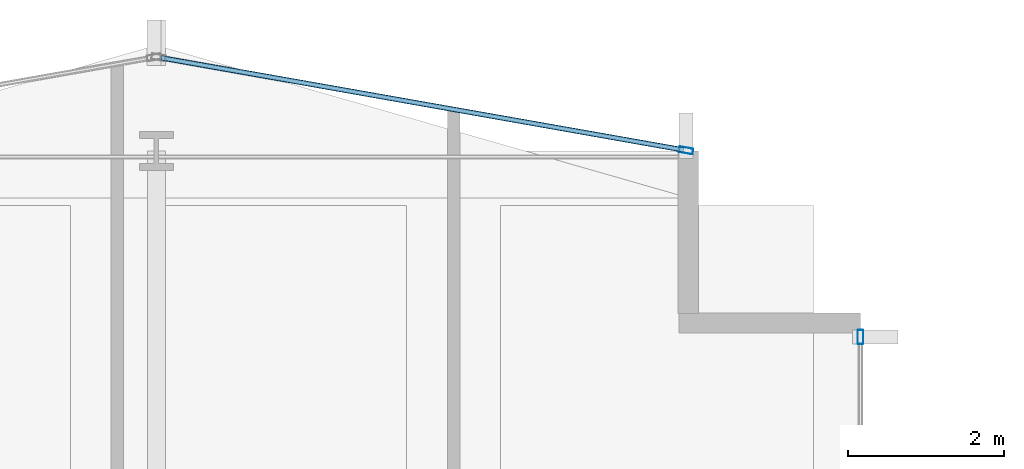
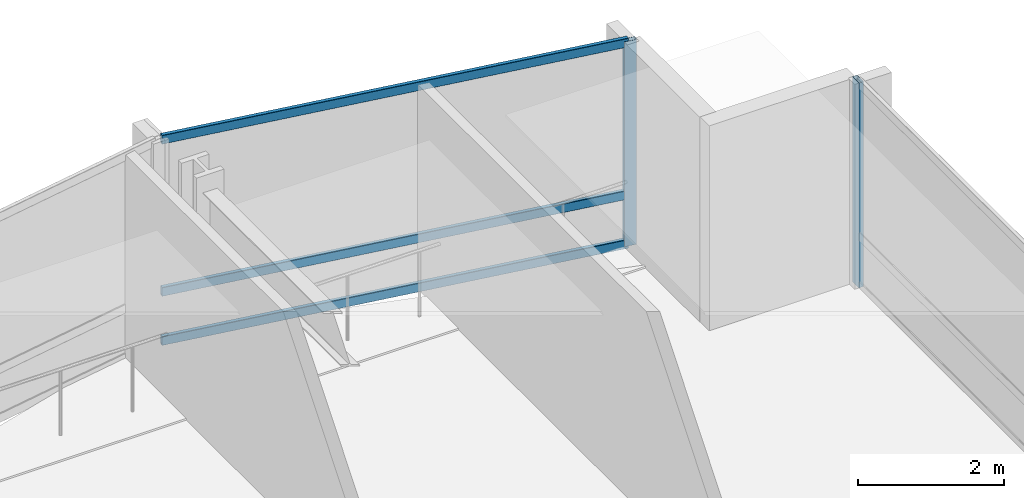
# One storey, part 24 of 34: 5 members, 2 elements without a shape of their own.
"""IFC4 building model written with IfcOpenShell, lengths in metres."""

from ifc_helpers import new_model, si_unit, direction, frame, origin, origin_2d, place, context, subcontext, project, spatial, hollow_rectangle, extrude, material, layer, layer_set, material_profile, profile_set, type_object, element, aggregate, save


model = new_model("IFC4")

# Units and contexts
model_context = context("Model", 3, precision=1e-05, world=origin(), true_north=direction((0.0, 1.0)))
body_context = subcontext(model_context, "Body", "Model", "MODEL_VIEW")
ifc_project = project(units=[si_unit("LENGTHUNIT", "METRE"), si_unit("AREAUNIT", "SQUARE_METRE"), si_unit("VOLUMEUNIT", "CUBIC_METRE"), si_unit("PLANEANGLEUNIT", "RADIAN"), si_unit("MASSUNIT", "GRAM", prefix="KILO")], contexts=[model_context])

# Site, building, storey
site_placement = place(None, origin())
site = spatial("IfcSite", under=ifc_project, at=site_placement, CompositionType="ELEMENT")
building_placement = place(site_placement, origin())
building = spatial("IfcBuilding", under=site, at=building_placement, Name="Solvaryn Broadcast Tower", CompositionType="ELEMENT")
storey_placement = place(building_placement, frame((0.0, 0.0, 61.89990234375)))
storey = spatial("IfcBuildingStorey", under=building, at=storey_placement, Name="L14", CompositionType="ELEMENT", Elevation=61.89990234375)

# Curtain wall, member
ifc_material_1 = material(Name="Aluminium and Terracotta Unitised Curtain Wall", Category="masonry")
ifc_layer = layer(ifc_material_1, 0.199951171875)
ifc_layer_set = layer_set([ifc_layer], Name="CW-SYS2-LOWMID")
curtain_wall_type = type_object("IfcCurtainWallType", Name="CW-SYS2-LOWMID", PredefinedType="NOTDEFINED", material=ifc_layer_set)
curtain_wall_1_placement = place(storey_placement, origin())
curtain_wall_1 = element("IfcCurtainWall", 1, at=curtain_wall_1_placement, inside=storey, type_object=curtain_wall_type, Name="L14 Curtain Wall IV", PredefinedType="NOTDEFINED")
ifc_material_2 = material(Name="Anodised Aluminium 6063-T6", Category="aluminium")
ifc_material_profile_1 = material_profile(ifc_material_2, hollow_rectangle(XDim=0.074951171875, YDim=0.179931640625, WallThickness=0.00390625, InnerFilletRadius=0.00390625, OuterFilletRadius=0.008056640625, at=origin_2d()))
ifc_profile_set_1 = profile_set([ifc_material_profile_1], Name="Anodised Aluminium 6063-T6")
member_type_1 = type_object("IfcMemberType", Name="CW-MUL-180", PredefinedType="MULLION", material=ifc_profile_set_1)
member_1_placement = place(storey_placement, frame((27.0, 51.6201171875, 0.0), z_axis=(0.0, 0.0, 1.0), x_axis=(1.0, 0.0, 0.0)))
member_1 = element("IfcMember", 2, at=member_1_placement, type_object=member_type_1, Name="CWS2 mullion 1", PredefinedType="MULLION", context=body_context, shape_type="SweptSolid", body=[
    extrude(hollow_rectangle(XDim=0.074951171875, YDim=0.179931640625, WallThickness=0.00390625, InnerFilletRadius=0.00390625, OuterFilletRadius=0.008056640625, at=origin_2d()), origin(), (0.0, 0.0, 1.0), 3.420166015625),
])
aggregate(curtain_wall_1, [member_1])

# Curtain wall, members
curtain_wall_2_placement = place(storey_placement, origin())
curtain_wall_2 = element("IfcCurtainWall", 3, at=curtain_wall_2_placement, inside=storey, type_object=curtain_wall_type, Name="L14 Curtain Wall NT1", PredefinedType="NOTDEFINED")
member_2_placement = place(storey_placement, frame((24.7705078125, 54.005126953125, 0.0), z_axis=(0.0, 0.0, 1.0), x_axis=(-0.173785333901, -0.984783558819, 0.0)))
member_2 = element("IfcMember", 4, at=member_2_placement, type_object=member_type_1, Name="CWS2 mullion 1", PredefinedType="MULLION", context=body_context, shape_type="SweptSolid", body=[
    extrude(hollow_rectangle(XDim=0.074951171875, YDim=0.179931640625, WallThickness=0.00390625, InnerFilletRadius=0.00390625, OuterFilletRadius=0.008056640625, at=origin_2d()), origin(), (0.0, 0.0, 1.0), 3.420166015625),
])
ifc_material_3 = material(Name="Anodised Aluminium 6063-T6", Category="aluminium")
ifc_material_profile_2 = material_profile(ifc_material_3, hollow_rectangle(XDim=0.06494140625, YDim=0.14990234375, WallThickness=0.00390625, InnerFilletRadius=0.00390625, OuterFilletRadius=0.008056640625, at=origin_2d()))
ifc_profile_set_2 = profile_set([ifc_material_profile_2], Name="Anodised Aluminium 6063-T6")
member_type_2 = type_object("IfcMemberType", Name="CW-TRN-150", PredefinedType="USERDEFINED", material=ifc_profile_set_2)
member_3_placement = place(storey_placement, frame((24.740966796875, 54.010498046875, 0.030029296875), z_axis=(-0.984788629673, 0.173756596613, 0.0), x_axis=(-0.173756596613, -0.984788629673, 0.0)))
member_3 = element("IfcMember", 5, at=member_3_placement, type_object=member_type_2, Name="CWS2 transom 1.1", ObjectType="TRANSOM", PredefinedType="USERDEFINED", context=body_context, shape_type="SweptSolid", body=[
    extrude(hollow_rectangle(XDim=0.06494140625, YDim=0.14990234375, WallThickness=0.00390625, InnerFilletRadius=0.00390625, OuterFilletRadius=0.008056640625, at=origin_2d()), origin(), (0.0, 0.0, 1.0), 6.78515625),
])
member_4_placement = place(storey_placement, frame((24.740966796875, 54.010498046875, 0.85009765625), z_axis=(-0.984788629673, 0.173756596613, 0.0), x_axis=(-0.173756596613, -0.984788629673, 0.0)))
member_4 = element("IfcMember", 6, at=member_4_placement, type_object=member_type_2, Name="CWS2 transom 1.2", ObjectType="TRANSOM", PredefinedType="USERDEFINED", context=body_context, shape_type="SweptSolid", body=[
    extrude(hollow_rectangle(XDim=0.06494140625, YDim=0.14990234375, WallThickness=0.00390625, InnerFilletRadius=0.00390625, OuterFilletRadius=0.008056640625, at=origin_2d()), origin(), (0.0, 0.0, 1.0), 6.78515625),
])
member_5_placement = place(storey_placement, frame((24.740966796875, 54.010498046875, 3.39013671875), z_axis=(-0.984788629673, 0.173756596613, 0.0), x_axis=(-0.173756596613, -0.984788629673, 0.0)))
member_5 = element("IfcMember", 7, at=member_5_placement, type_object=member_type_2, Name="CWS2 transom 1.3", ObjectType="TRANSOM", PredefinedType="USERDEFINED", context=body_context, shape_type="SweptSolid", body=[
    extrude(hollow_rectangle(XDim=0.06494140625, YDim=0.14990234375, WallThickness=0.00390625, InnerFilletRadius=0.00390625, OuterFilletRadius=0.008056640625, at=origin_2d()), origin(), (0.0, 0.0, 1.0), 6.78515625),
])
aggregate(curtain_wall_2, [member_2, member_3, member_4, member_5])

save(model, "model.ifc")
